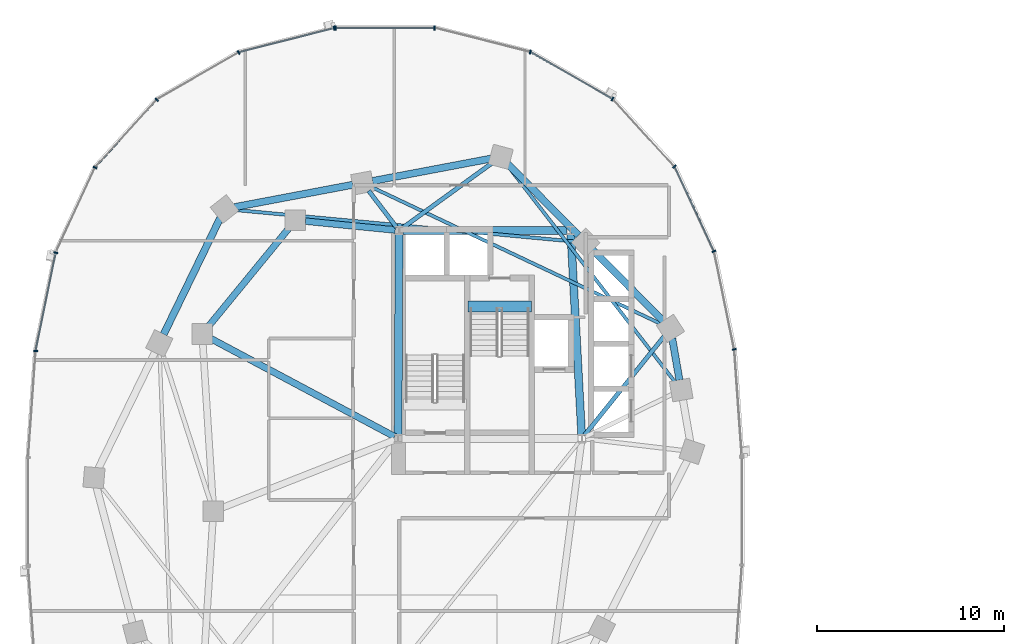
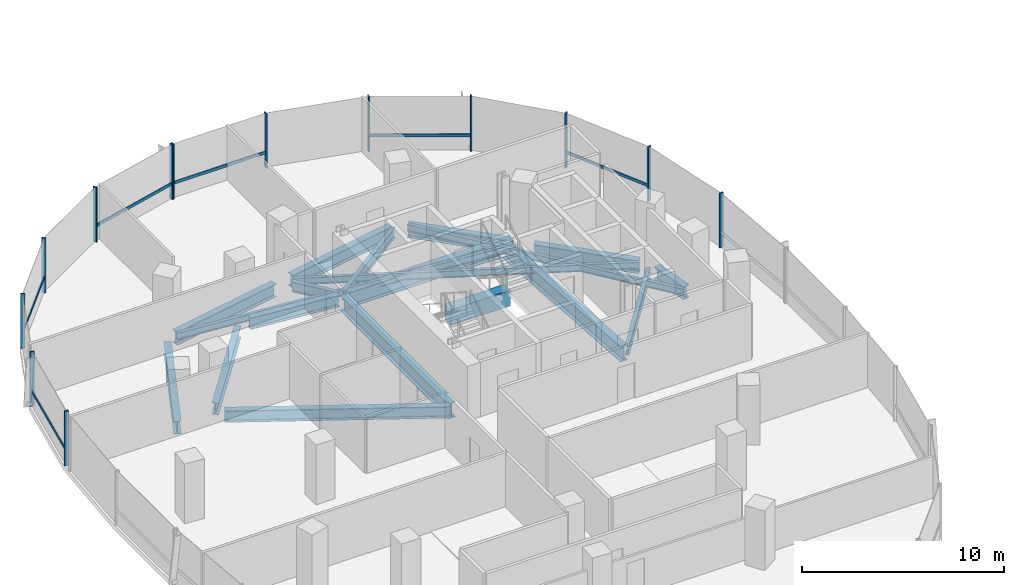
# One storey, part 4 of 21: 19 beams, 19 members, 2 elements without a shape of their own.
"""IFC4 building model written with IfcOpenShell, lengths in metres."""

from ifc_helpers import new_model, si_unit, direction, frame, origin, origin_2d, place, context, subcontext, project, spatial, rectangle, i_section, extrude, material, material_profile, profile_set, type_object, element, aggregate, save


model = new_model("IFC4")

# Units and contexts
model_context = context("Model", 3, precision=1e-05, world=origin(), true_north=direction((0.0, 1.0)))
body_context = subcontext(model_context, "Body", "Model", "MODEL_VIEW")
ifc_project = project(units=[si_unit("LENGTHUNIT", "METRE"), si_unit("AREAUNIT", "SQUARE_METRE"), si_unit("VOLUMEUNIT", "CUBIC_METRE"), si_unit("PLANEANGLEUNIT", "RADIAN"), si_unit("MASSUNIT", "GRAM", prefix="KILO"), si_unit("THERMODYNAMICTEMPERATUREUNIT", "KELVIN"), si_unit("POWERUNIT", "WATT")], contexts=[model_context])

# Site, building, storey
site_placement = place(None, origin())
site = spatial("IfcSite", under=ifc_project, at=site_placement, CompositionType="ELEMENT")
building_placement = place(site_placement, origin())
building = spatial("IfcBuilding", under=site, at=building_placement, Name="Cundina Bronze Exchange", CompositionType="ELEMENT")
storey_placement = place(building_placement, frame((0.0, 0.0, 114.199951171875)))
storey = spatial("IfcBuildingStorey", under=building, at=storey_placement, Name="L29", CompositionType="ELEMENT", Elevation=114.199951171875)

# Beams
ifc_material_1 = material(Name="Concrete C60/75", Category="concrete")
ifc_material_profile_1 = material_profile(ifc_material_1, rectangle(XDim=0.60009765625, YDim=0.949951171875, at=origin_2d()), Name="RC600X950", Category="concrete")
ifc_profile_set_1 = profile_set([ifc_material_profile_1], Name="Concrete C60/75")
beam_type_1 = type_object("IfcBeamType", Name="BM-COUP-RC950", PredefinedType="LINTEL", material=ifc_profile_set_1)
beam_1_placement = place(storey_placement, frame((-27.56005859375, 10.97998046875, -0.474853515625), z_axis=(1.0, 0.0, 0.0), x_axis=(0.0, 1.0, 0.0)))
element("IfcBeam", 1, at=beam_1_placement, inside=storey, type_object=beam_type_1, Name="L29 Stair W2 Landing Header Beam", PredefinedType="LINTEL", context=body_context, shape_type="SweptSolid", body=[
    extrude(rectangle(XDim=0.60009765625, YDim=0.949951171875, at=origin_2d()), origin(), (0.0, 0.0, 1.0), 3.400146484375),
])
ifc_material_2 = material(Name="Steel ASTM A992 Grade 50", Category="steel")
ifc_material_profile_2 = material_profile(ifc_material_2, i_section(OverallWidth=0.22998046875, OverallDepth=0.616943359375, WebThickness=0.01318359375, FlangeThickness=0.022216796875, FilletRadius=0.013916015625, at=origin_2d()), Name="W24X94", Category="steel")
ifc_profile_set_2 = profile_set([ifc_material_profile_2], Name="Steel ASTM A992 Grade 50")
beam_type_2 = type_object("IfcBeamType", Name="BM-FLR-W24B", PredefinedType="BEAM", material=ifc_profile_set_2)
beam_2_placement = place(storey_placement, frame((-21.322021484375, 4.058837890625, -0.6083984375), z_axis=(0.627106187843, 0.778933777139, 0.0), x_axis=(-0.778933777139, 0.627106187843, 0.0)))
element("IfcBeam", 2, at=beam_2_placement, inside=storey, type_object=beam_type_2, Name="L29 Leg W Radial Floor Beam 02", PredefinedType="BEAM", context=body_context, shape_type="SweptSolid", body=[
    extrude(i_section(OverallWidth=0.22998046875, OverallDepth=0.616943359375, WebThickness=0.01318359375, FlangeThickness=0.022216796875, FilletRadius=0.013916015625, at=origin_2d()), origin(), (0.0, 0.0, 1.0), 6.83251953125),
])
beam_3_placement = place(storey_placement, frame((-31.084716796875, 15.169677734375, -0.6083984375), z_axis=(0.809686957662, 0.586862020063, 0.0), x_axis=(-0.586862020063, 0.809686957662, 0.0)))
element("IfcBeam", 3, at=beam_3_placement, inside=storey, type_object=beam_type_2, Name="L29 Leg W Radial Floor Beam 04", PredefinedType="BEAM", context=body_context, shape_type="SweptSolid", body=[
    extrude(i_section(OverallWidth=0.22998046875, OverallDepth=0.616943359375, WebThickness=0.01318359375, FlangeThickness=0.022216796875, FilletRadius=0.013916015625, at=origin_2d()), origin(), (0.0, 0.0, 1.0), 5.98876953125),
])
beam_4_placement = place(storey_placement, frame((-31.373779296875, 15.2119140625, -0.6083984375), z_axis=(-0.607490490457, 0.79432695032, 0.0), x_axis=(-0.79432695032, -0.607490490457, 0.0)))
element("IfcBeam", 4, at=beam_4_placement, inside=storey, type_object=beam_type_2, Name="L29 Leg W Radial Floor Beam 05", PredefinedType="BEAM", context=body_context, shape_type="SweptSolid", body=[
    extrude(i_section(OverallWidth=0.22998046875, OverallDepth=0.616943359375, WebThickness=0.01318359375, FlangeThickness=0.022216796875, FilletRadius=0.013916015625, at=origin_2d()), origin(), (0.0, 0.0, 1.0), 2.46826171875),
])
ifc_material_profile_3 = material_profile(ifc_material_2, i_section(OverallWidth=0.178955078125, OverallDepth=0.409912109375, WebThickness=0.0087890625, FlangeThickness=0.014404296875, FilletRadius=0.010986328125, at=origin_2d()), Name="W16X45", Category="steel")
ifc_profile_set_3 = profile_set([ifc_material_profile_3], Name="Steel ASTM A992 Grade 50")
beam_type_3 = type_object("IfcBeamType", Name="BM-JST-W16", PredefinedType="JOIST", material=ifc_profile_set_3)
beam_5_placement = place(storey_placement, frame((-16.454345703125, 6.92529296875, -0.5048828125), z_axis=(-0.612065218806, 0.790807288742, 0.0), x_axis=(-0.790807288742, -0.612065218806, 0.0)))
element("IfcBeam", 5, at=beam_5_placement, inside=storey, type_object=beam_type_3, Name="L29 Leg W Lobe Floor Joist 01-04", PredefinedType="JOIST", context=body_context, shape_type="SweptSolid", body=[
    extrude(i_section(OverallWidth=0.178955078125, OverallDepth=0.409912109375, WebThickness=0.0087890625, FlangeThickness=0.014404296875, FilletRadius=0.010986328125, at=origin_2d()), origin(), (0.0, 0.0, 1.0), 14.73095703125),
])
beam_6_placement = place(storey_placement, frame((-17.186279296875, 10.02978515625, -0.5048828125), z_axis=(-0.904069270633, 0.427385954259, 0.0), x_axis=(-0.427385954259, -0.904069270633, 0.0)))
element("IfcBeam", 6, at=beam_6_placement, inside=storey, type_object=beam_type_3, Name="L29 Leg W Lobe Floor Joist 02-05", PredefinedType="JOIST", context=body_context, shape_type="SweptSolid", body=[
    extrude(i_section(OverallWidth=0.178955078125, OverallDepth=0.409912109375, WebThickness=0.0087890625, FlangeThickness=0.014404296875, FilletRadius=0.010986328125, at=origin_2d()), origin(), (0.0, 0.0, 1.0), 17.175048828125),
])
beam_7_placement = place(storey_placement, frame((-21.78564453125, 14.44970703125, -0.5048828125), z_axis=(-0.995700674022, 0.092629194921, 0.0), x_axis=(-0.092629194921, -0.995700674022, 0.0)))
element("IfcBeam", 7, at=beam_7_placement, inside=storey, type_object=beam_type_3, Name="L29 Leg W Lobe Floor Joist 03-06", PredefinedType="JOIST", context=body_context, shape_type="SweptSolid", body=[
    extrude(i_section(OverallWidth=0.178955078125, OverallDepth=0.409912109375, WebThickness=0.0087890625, FlangeThickness=0.014404296875, FilletRadius=0.010986328125, at=origin_2d()), origin(), (0.0, 0.0, 1.0), 18.357421875),
])
ifc_material_profile_4 = material_profile(ifc_material_2, i_section(OverallWidth=0.35498046875, OverallDepth=0.695068359375, WebThickness=0.015380859375, FlangeThickness=0.02490234375, FilletRadius=0.01806640625, at=origin_2d()), Name="W27X146", Category="steel")
ifc_profile_set_4 = profile_set([ifc_material_profile_4], Name="Steel ASTM A992 Grade 50")
beam_type_4 = type_object("IfcBeamType", Name="BM-RING-W27", PredefinedType="USERDEFINED", material=ifc_profile_set_4)
beam_8_placement = place(storey_placement, frame((-31.452880859375, 15.070068359375, -0.6474609375), z_axis=(-0.995126271817, 0.098608839051, 0.0), x_axis=(-0.098608839051, -0.995126271817, 0.0)))
element("IfcBeam", 8, at=beam_8_placement, inside=storey, type_object=beam_type_4, Name="L29 W Inner Structural Ring Girder 01", ObjectType="GIRDER", PredefinedType="USERDEFINED", context=body_context, shape_type="SweptSolid", body=[
    extrude(i_section(OverallWidth=0.35498046875, OverallDepth=0.695068359375, WebThickness=0.015380859375, FlangeThickness=0.02490234375, FilletRadius=0.01806640625, at=origin_2d()), origin(), (0.0, 0.0, 1.0), 4.83544921875),
])
beam_9_placement = place(storey_placement, frame((-37.14111328125, 15.183837890625, -0.6474609375), z_axis=(-0.633926549035, -0.773393257295, 0.0), x_axis=(0.773393257295, -0.633926549035, 0.0)))
element("IfcBeam", 9, at=beam_9_placement, inside=storey, type_object=beam_type_4, Name="L29 W Inner Structural Ring Girder 02", ObjectType="GIRDER", PredefinedType="USERDEFINED", context=body_context, shape_type="SweptSolid", body=[
    extrude(i_section(OverallWidth=0.35498046875, OverallDepth=0.695068359375, WebThickness=0.015380859375, FlangeThickness=0.02490234375, FilletRadius=0.01806640625, at=origin_2d()), origin(), (0.0, 0.0, 1.0), 6.811279296875),
])
beam_10_placement = place(storey_placement, frame((-31.47998046875, 3.99609375, -0.6474609375), z_axis=(-0.882354758239, 0.470584828286, 0.0), x_axis=(-0.470584828286, -0.882354758239, 0.0)))
element("IfcBeam", 10, at=beam_10_placement, inside=storey, type_object=beam_type_4, Name="L29 W Core-to-Waist Tie Beam 2", ObjectType="GIRDER", PredefinedType="USERDEFINED", context=body_context, shape_type="SweptSolid", body=[
    extrude(i_section(OverallWidth=0.35498046875, OverallDepth=0.695068359375, WebThickness=0.015380859375, FlangeThickness=0.02490234375, FilletRadius=0.01806640625, at=origin_2d()), origin(), (0.0, 0.0, 1.0), 11.157958984375),
])
ifc_material_profile_5 = material_profile(ifc_material_2, i_section(OverallWidth=0.381103515625, OverallDepth=0.77294921875, WebThickness=0.0166015625, FlangeThickness=0.027099609375, FilletRadius=0.01904296875, at=origin_2d()), Name="W30X173", Category="steel")
ifc_profile_set_5 = profile_set([ifc_material_profile_5], Name="Steel ASTM A992 Grade 50")
beam_type_5 = type_object("IfcBeamType", Name="BM-RING-W30", PredefinedType="USERDEFINED", material=ifc_profile_set_5)
beam_11_placement = place(storey_placement, frame((-16.21728515625, 7.030029296875, -0.6865234375), z_axis=(-0.171690078326, 0.985151012284, 0.0), x_axis=(-0.985151012284, -0.171690078326, 0.0)))
element("IfcBeam", 11, at=beam_11_placement, inside=storey, type_object=beam_type_5, Name="L29 W Perimeter Ring Girder 01", ObjectType="GIRDER", PredefinedType="USERDEFINED", context=body_context, shape_type="SweptSolid", body=[
    extrude(i_section(OverallWidth=0.381103515625, OverallDepth=0.77294921875, WebThickness=0.0166015625, FlangeThickness=0.027099609375, FilletRadius=0.01904296875, at=origin_2d()), origin(), (0.0, 0.0, 1.0), 2.273681640625),
])
for number, where, z_axis, x_axis, name in (
    (12, (-17.078369140625, 10.1826171875, -0.6865234375), (-0.703226342126, 0.7109660412, 0.0), (-0.7109660412, -0.703226342126, 0.0), "L29 W Perimeter Ring Girder 02"),
    (13, (-21.62841796875, 14.782470703125, -0.6865234375), (-0.703226342126, 0.7109660412, 0.0), (-0.7109660412, -0.703226342126, 0.0), "L29 W Perimeter Ring Girder 03"),
):
    element("IfcBeam", number, at=place(storey_placement, frame(where, z_axis=z_axis, x_axis=x_axis)), inside=storey, type_object=beam_type_5, Name=name, ObjectType="GIRDER", PredefinedType="USERDEFINED", context=body_context, shape_type="SweptSolid", body=[
        extrude(i_section(OverallWidth=0.381103515625, OverallDepth=0.77294921875, WebThickness=0.0166015625, FlangeThickness=0.027099609375, FilletRadius=0.01904296875, at=origin_2d()), origin(), (0.0, 0.0, 1.0), 5.39404296875),
    ])
for number, where, z_axis, x_axis, name in (
    (14, (-26.32861328125, 18.89990234375, -0.6865234375), (-0.98257117919, -0.185886733861, 0.0), (0.185886733861, -0.98257117919, 0.0), "L29 W Perimeter Ring Girder 04"),
    (15, (-33.728515625, 17.5, -0.6865234375), (-0.98257117919, -0.185886733861, 0.0), (0.185886733861, -0.98257117919, 0.0), "L29 W Perimeter Ring Girder 05"),
):
    element("IfcBeam", number, at=place(storey_placement, frame(where, z_axis=z_axis, x_axis=x_axis)), inside=storey, type_object=beam_type_5, Name=name, ObjectType="GIRDER", PredefinedType="USERDEFINED", context=body_context, shape_type="SweptSolid", body=[
        extrude(i_section(OverallWidth=0.381103515625, OverallDepth=0.77294921875, WebThickness=0.0166015625, FlangeThickness=0.027099609375, FilletRadius=0.01904296875, at=origin_2d()), origin(), (0.0, 0.0, 1.0), 6.455322265625),
    ])
beam_12_placement = place(storey_placement, frame((-40.835205078125, 15.716064453125, -0.6865234375), z_axis=(-0.437193894283, -0.899367276924, 0.0), x_axis=(0.899367276924, -0.437193894283, 0.0)))
element("IfcBeam", 16, at=beam_12_placement, inside=storey, type_object=beam_type_5, Name="L29 W Perimeter Ring Girder 06", ObjectType="GIRDER", PredefinedType="USERDEFINED", context=body_context, shape_type="SweptSolid", body=[
    extrude(i_section(OverallWidth=0.381103515625, OverallDepth=0.77294921875, WebThickness=0.0166015625, FlangeThickness=0.027099609375, FilletRadius=0.01904296875, at=origin_2d()), origin(), (0.0, 0.0, 1.0), 6.929443359375),
])
ifc_material_profile_6 = material_profile(ifc_material_2, i_section(OverallWidth=0.41796875, OverallDepth=0.927001953125, WebThickness=0.019287109375, FlangeThickness=0.031982421875, FilletRadius=0.02392578125, at=origin_2d()), Name="W36X231", Category="steel")
ifc_profile_set_6 = profile_set([ifc_material_profile_6], Name="Steel ASTM A992 Grade 50")
beam_type_6 = type_object("IfcBeamType", Name="BM-WRN-W36B", PredefinedType="USERDEFINED", material=ifc_profile_set_6)
beam_13_placement = place(storey_placement, frame((-21.4609375, 4.103759765625, -0.763427734375), z_axis=(-0.053739193498, 0.998555005537, 0.0), x_axis=(-0.998555005537, -0.053739193498, 0.0)))
element("IfcBeam", 17, at=beam_13_placement, inside=storey, type_object=beam_type_6, Name="L29 W Core Perimeter Tie Girder 2", ObjectType="GIRDER", PredefinedType="USERDEFINED", context=body_context, shape_type="SweptSolid", body=[
    extrude(i_section(OverallWidth=0.41796875, OverallDepth=0.927001953125, WebThickness=0.019287109375, FlangeThickness=0.031982421875, FilletRadius=0.02392578125, at=origin_2d()), origin(), (0.0, 0.0, 1.0), 10.758056640625),
])
beam_14_placement = place(storey_placement, frame((-22.25390625, 15.050048828125, -0.763427734375), z_axis=(-1.0, 0.0, 0.0), x_axis=(0.0, -1.0, 0.0)))
element("IfcBeam", 18, at=beam_14_placement, inside=storey, type_object=beam_type_6, Name="L29 W Core Perimeter Tie Girder 3", ObjectType="GIRDER", PredefinedType="USERDEFINED", context=body_context, shape_type="SweptSolid", body=[
    extrude(i_section(OverallWidth=0.41796875, OverallDepth=0.927001953125, WebThickness=0.019287109375, FlangeThickness=0.031982421875, FilletRadius=0.02392578125, at=origin_2d()), origin(), (0.0, 0.0, 1.0), 8.7919921875),
])
beam_15_placement = place(storey_placement, frame((-31.2509765625, 14.845947265625, -0.763427734375), z_axis=(-0.004477329608, -0.99998997671, 0.0), x_axis=(0.99998997671, -0.004477329608, 0.0)))
element("IfcBeam", 19, at=beam_15_placement, inside=storey, type_object=beam_type_6, Name="L29 W Core Perimeter Tie Girder 4", ObjectType="GIRDER", PredefinedType="USERDEFINED", context=body_context, shape_type="SweptSolid", body=[
    extrude(i_section(OverallWidth=0.41796875, OverallDepth=0.927001953125, WebThickness=0.019287109375, FlangeThickness=0.031982421875, FilletRadius=0.02392578125, at=origin_2d()), origin(), (0.0, 0.0, 1.0), 10.741943359375),
])

# Curtain wall, members
ifc_material_3 = material(Name="Anodised Bronze Aluminium 6063-T6", Category="aluminium")
curtain_wall_type = type_object("IfcCurtainWallType", Name="CWS-TRD-MID", PredefinedType="NOTDEFINED", material=ifc_material_3)
curtain_wall_1_placement = place(storey_placement, origin())
curtain_wall_1 = element("IfcCurtainWall", 20, at=curtain_wall_1_placement, inside=storey, type_object=curtain_wall_type, Name="L29 CW-03 Curtain Wall Run CWR-L29-W1", PredefinedType="NOTDEFINED")
ifc_material_profile_7 = material_profile(ifc_material_3, rectangle(XDim=0.074951171875, YDim=0.219970703125, at=origin_2d()), Name="AL75X220", Category="aluminium")
ifc_profile_set_7 = profile_set([ifc_material_profile_7], Name="Anodised Bronze Aluminium 6063-T6")
member_type_1 = type_object("IfcMemberType", Name="CWM-MUL-220", PredefinedType="MULLION", material=ifc_profile_set_7)
member_1_placement = place(storey_placement, frame((-13.282958984375, 8.67822265625, 0.0), z_axis=(0.0, 0.0, 1.0), x_axis=(-0.201419845156, 0.979505000486, 0.0)))
member_1 = element("IfcMember", 21, at=member_1_placement, type_object=member_type_1, Name="CW-03 Mullion 2", PredefinedType="MULLION", context=body_context, shape_type="SweptSolid", body=[
    extrude(rectangle(XDim=0.074951171875, YDim=0.219970703125, at=origin_2d()), origin(), (0.0, 0.0, 1.0), 3.300048828125),
])
member_2_placement = place(storey_placement, frame((-14.3720703125, 13.931884765625, 0.0), z_axis=(0.0, 0.0, 1.0), x_axis=(-0.42087749791, 0.907117485088, 0.0)))
member_2 = element("IfcMember", 22, at=member_2_placement, type_object=member_type_1, Name="CW-03 Mullion 3", PredefinedType="MULLION", context=body_context, shape_type="SweptSolid", body=[
    extrude(rectangle(XDim=0.074951171875, YDim=0.219970703125, at=origin_2d()), origin(), (0.0, 0.0, 1.0), 3.300048828125),
])
member_3_placement = place(storey_placement, frame((-16.491455078125, 18.47705078125, 0.0), z_axis=(0.0, 0.0, 1.0), x_axis=(-0.674302387584, 0.738455340626, 0.0)))
member_3 = element("IfcMember", 23, at=member_3_placement, type_object=member_type_1, Name="CW-03 Mullion 4", PredefinedType="MULLION", context=body_context, shape_type="SweptSolid", body=[
    extrude(rectangle(XDim=0.074951171875, YDim=0.219970703125, at=origin_2d()), origin(), (0.0, 0.0, 1.0), 3.300048828125),
])
member_4_placement = place(storey_placement, frame((-19.810302734375, 22.097412109375, 0.0), z_axis=(0.0, 0.0, 1.0), x_axis=(-0.867070701164, 0.498185105339, 0.0)))
member_4 = element("IfcMember", 24, at=member_4_placement, type_object=member_type_1, Name="CW-03 Mullion 5", PredefinedType="MULLION", context=body_context, shape_type="SweptSolid", body=[
    extrude(rectangle(XDim=0.074951171875, YDim=0.219970703125, at=origin_2d()), origin(), (0.0, 0.0, 1.0), 3.300048828125),
])
member_5_placement = place(storey_placement, frame((-24.21484375, 24.61669921875, 0.0), z_axis=(0.0, 0.0, 1.0), x_axis=(-0.969488149345, 0.245138182011, 0.0)))
member_5 = element("IfcMember", 25, at=member_5_placement, type_object=member_type_1, Name="CW-03 Mullion 6", PredefinedType="MULLION", context=body_context, shape_type="SweptSolid", body=[
    extrude(rectangle(XDim=0.074951171875, YDim=0.219970703125, at=origin_2d()), origin(), (0.0, 0.0, 1.0), 3.300048828125),
])
member_6_placement = place(storey_placement, frame((-29.345458984375, 25.905029296875, 0.0), z_axis=(0.0, 0.0, 1.0), x_axis=(-1.0, 0.0, 0.0)))
member_6 = element("IfcMember", 26, at=member_6_placement, type_object=member_type_1, Name="CW-03 Mullion 7", PredefinedType="MULLION", context=body_context, shape_type="SweptSolid", body=[
    extrude(rectangle(XDim=0.074951171875, YDim=0.219970703125, at=origin_2d()), origin(), (0.0, 0.0, 1.0), 3.300048828125),
])
member_7_placement = place(storey_placement, frame((-34.654541015625, 25.905029296875, 0.0), z_axis=(0.0, 0.0, 1.0), x_axis=(-1.0, 0.0, 0.0)))
member_7 = element("IfcMember", 27, at=member_7_placement, type_object=member_type_1, Name="CW-03 End Mullion", PredefinedType="MULLION", context=body_context, shape_type="SweptSolid", body=[
    extrude(rectangle(XDim=0.074951171875, YDim=0.219970703125, at=origin_2d()), origin(), (0.0, 0.0, 1.0), 3.300048828125),
])

curtain_wall_2_placement = place(storey_placement, origin())
curtain_wall_2 = element("IfcCurtainWall", 28, at=curtain_wall_2_placement, inside=storey, type_object=curtain_wall_type, Name="L29 CW-03 Curtain Wall Run CWR-L29-W2", PredefinedType="NOTDEFINED")
member_8_placement = place(storey_placement, frame((-34.72607421875, 25.89599609375, 0.0), z_axis=(0.0, 0.0, 1.0), x_axis=(-0.969488149345, -0.245138182011, 0.0)))
member_8 = element("IfcMember", 29, at=member_8_placement, type_object=member_type_1, Name="CW-03 Mullion 1", PredefinedType="MULLION", context=body_context, shape_type="SweptSolid", body=[
    extrude(rectangle(XDim=0.074951171875, YDim=0.219970703125, at=origin_2d()), origin(), (0.0, 0.0, 1.0), 3.300048828125),
])
member_9_placement = place(storey_placement, frame((-39.848876953125, 24.591064453125, 0.0), z_axis=(0.0, 0.0, 1.0), x_axis=(-0.867070701164, -0.498185105339, 0.0)))
member_9 = element("IfcMember", 30, at=member_9_placement, type_object=member_type_1, Name="CW-03 Mullion 2", PredefinedType="MULLION", context=body_context, shape_type="SweptSolid", body=[
    extrude(rectangle(XDim=0.074951171875, YDim=0.219970703125, at=origin_2d()), origin(), (0.0, 0.0, 1.0), 3.300048828125),
])
member_10_placement = place(storey_placement, frame((-44.239501953125, 22.0576171875, 0.0), z_axis=(0.0, 0.0, 1.0), x_axis=(-0.674302387584, -0.738455340626, 0.0)))
member_10 = element("IfcMember", 31, at=member_10_placement, type_object=member_type_1, Name="CW-03 Mullion 3", PredefinedType="MULLION", context=body_context, shape_type="SweptSolid", body=[
    extrude(rectangle(XDim=0.074951171875, YDim=0.219970703125, at=origin_2d()), origin(), (0.0, 0.0, 1.0), 3.300048828125),
])
member_11_placement = place(storey_placement, frame((-47.544189453125, 18.423583984375, 0.0), z_axis=(0.0, 0.0, 1.0), x_axis=(-0.42087749791, -0.907117485088, 0.0)))
member_11 = element("IfcMember", 32, at=member_11_placement, type_object=member_type_1, Name="CW-03 Mullion 4", PredefinedType="MULLION", context=body_context, shape_type="SweptSolid", body=[
    extrude(rectangle(XDim=0.074951171875, YDim=0.219970703125, at=origin_2d()), origin(), (0.0, 0.0, 1.0), 3.300048828125),
])
member_12_placement = place(storey_placement, frame((-49.651123046875, 13.861328125, 0.0), z_axis=(0.0, 0.0, 1.0), x_axis=(-0.201419845156, -0.979505000486, 0.0)))
member_12 = element("IfcMember", 33, at=member_12_placement, type_object=member_type_1, Name="CW-03 Mullion 5", PredefinedType="MULLION", context=body_context, shape_type="SweptSolid", body=[
    extrude(rectangle(XDim=0.074951171875, YDim=0.219970703125, at=origin_2d()), origin(), (0.0, 0.0, 1.0), 3.300048828125),
])
member_13_placement = place(storey_placement, frame((-50.72900390625, 8.591552734375, 0.0), z_axis=(0.0, 0.0, 1.0), x_axis=(-0.070278787473, -0.997527389113, 0.0)))
member_13 = element("IfcMember", 34, at=member_13_placement, type_object=member_type_1, Name="CW-03 Mullion 6", PredefinedType="MULLION", context=body_context, shape_type="SweptSolid", body=[
    extrude(rectangle(XDim=0.074951171875, YDim=0.219970703125, at=origin_2d()), origin(), (0.0, 0.0, 1.0), 3.300048828125),
])

# Member
ifc_material_profile_8 = material_profile(ifc_material_3, rectangle(XDim=0.070068359375, YDim=0.179931640625, at=origin_2d()), Name="AL70X180", Category="aluminium")
ifc_profile_set_8 = profile_set([ifc_material_profile_8], Name="Anodised Bronze Aluminium 6063-T6")
member_type_2 = type_object("IfcMemberType", Name="CWM-TRN-180", PredefinedType="USERDEFINED", material=ifc_profile_set_8)
member_14_placement = place(storey_placement, frame((-14.389404296875, 13.96923828125, 0.920166015625), z_axis=(-0.420811422796, 0.907148139195, 0.0), x_axis=(-0.907148139195, -0.420811422796, 0.0)))
member_14 = element("IfcMember", 35, at=member_14_placement, type_object=member_type_2, Name="CW-03 Spandrel Transom 3", ObjectType="TRANSOM", PredefinedType="USERDEFINED", context=body_context, shape_type="SweptSolid", body=[
    extrude(rectangle(XDim=0.070068359375, YDim=0.179931640625, at=origin_2d()), origin(), (0.0, 0.0, 1.0), 4.95166015625),
])

member_15_placement = place(storey_placement, frame((-19.845947265625, 22.117919921875, 0.920166015625), z_axis=(-0.867097475651, 0.498138502546, 0.0), x_axis=(-0.498138502546, -0.867097475651, 0.0)))
member_15 = element("IfcMember", 36, at=member_15_placement, type_object=member_type_2, Name="CW-03 Spandrel Transom 5", ObjectType="TRANSOM", PredefinedType="USERDEFINED", context=body_context, shape_type="SweptSolid", body=[
    extrude(rectangle(XDim=0.070068359375, YDim=0.179931640625, at=origin_2d()), origin(), (0.0, 0.0, 1.0), 5.00634765625),
])

member_16_placement = place(storey_placement, frame((-29.38671875, 25.905029296875, 0.920166015625), z_axis=(-1.0, 0.0, 0.0), x_axis=(0.0, -1.0, 0.0)))
member_16 = element("IfcMember", 37, at=member_16_placement, type_object=member_type_2, Name="CW-03 Spandrel Transom 7", ObjectType="TRANSOM", PredefinedType="USERDEFINED", context=body_context, shape_type="SweptSolid", body=[
    extrude(rectangle(XDim=0.070068359375, YDim=0.179931640625, at=origin_2d()), origin(), (0.0, 0.0, 1.0), 5.2265625),
])

aggregate(curtain_wall_1, [member_1, member_2, member_14, member_3, member_4, member_15, member_5, member_6, member_7, member_16])

member_17_placement = place(storey_placement, frame((-34.76611328125, 25.885986328125, 0.920166015625), z_axis=(-0.969483968866, -0.245154714644, 0.0), x_axis=(0.245154714644, -0.969483968866, 0.0)))
member_17 = element("IfcMember", 38, at=member_17_placement, type_object=member_type_2, Name="CW-03 Spandrel Transom 1", ObjectType="TRANSOM", PredefinedType="USERDEFINED", context=body_context, shape_type="SweptSolid", body=[
    extrude(rectangle(XDim=0.070068359375, YDim=0.179931640625, at=origin_2d()), origin(), (0.0, 0.0, 1.0), 5.21826171875),
])

member_18_placement = place(storey_placement, frame((-44.26708984375, 22.027099609375, 0.920166015625), z_axis=(-0.674302794847, -0.738454968743, 0.0), x_axis=(0.738454968743, -0.674302794847, 0.0)))
member_18 = element("IfcMember", 39, at=member_18_placement, type_object=member_type_2, Name="CW-03 Spandrel Transom 3", ObjectType="TRANSOM", PredefinedType="USERDEFINED", context=body_context, shape_type="SweptSolid", body=[
    extrude(rectangle(XDim=0.070068359375, YDim=0.179931640625, at=origin_2d()), origin(), (0.0, 0.0, 1.0), 4.848388671875),
])

member_19_placement = place(storey_placement, frame((-49.659423828125, 13.821044921875, 0.920166015625), z_axis=(-0.201427712708, -0.979503382615, 0.0), x_axis=(0.979503382615, -0.201427712708, 0.0)))
member_19 = element("IfcMember", 40, at=member_19_placement, type_object=member_type_2, Name="CW-03 Spandrel Transom 5", ObjectType="TRANSOM", PredefinedType="USERDEFINED", context=body_context, shape_type="SweptSolid", body=[
    extrude(rectangle(XDim=0.070068359375, YDim=0.179931640625, at=origin_2d()), origin(), (0.0, 0.0, 1.0), 5.291748046875),
])

aggregate(curtain_wall_2, [member_8, member_17, member_9, member_10, member_18, member_11, member_12, member_19, member_13])

save(model, "model.ifc")
